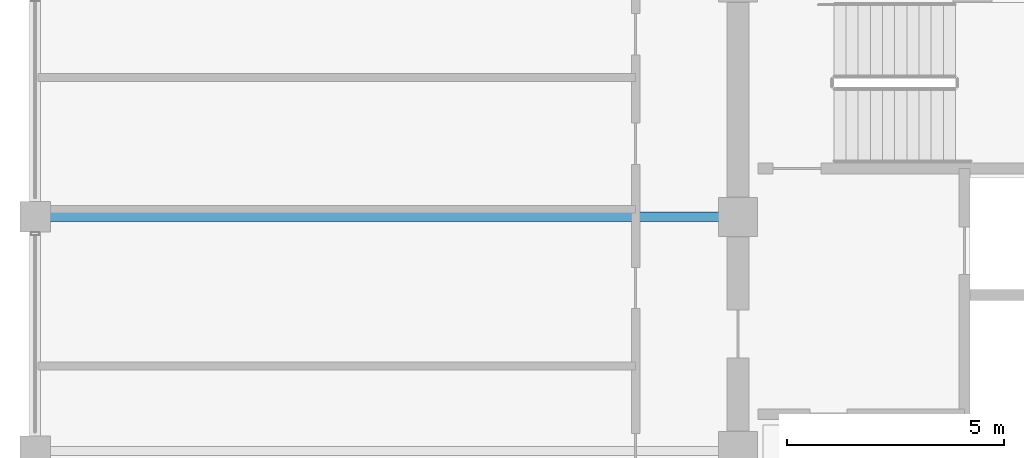
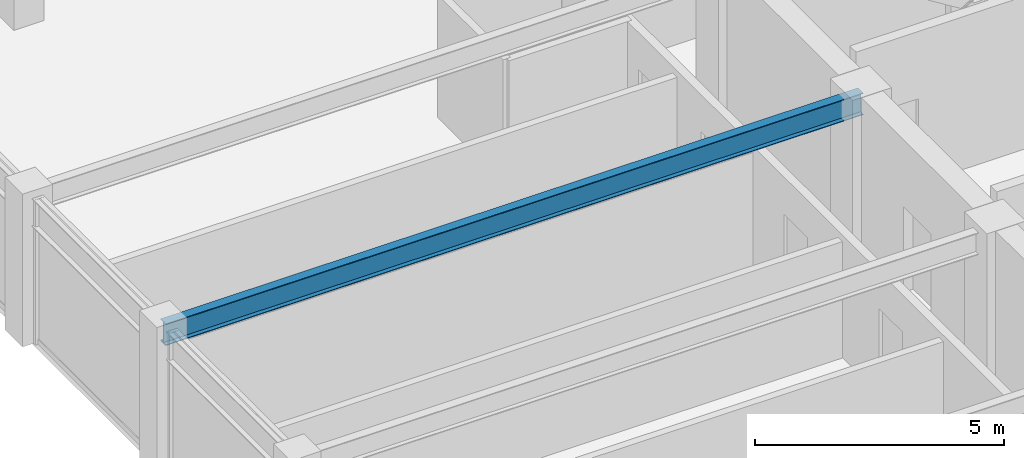
# One storey, part 11 of 30: 1 beam.
"""IFC4 building model written with IfcOpenShell, lengths in metres."""

from ifc_helpers import new_model, si_unit, direction, frame, origin, origin_2d, place, context, subcontext, project, spatial, i_section, extrude, material, material_profile, profile_set, type_object, element, save


model = new_model("IFC4")

# Units and contexts
model_context = context("Model", 3, precision=1e-05, world=origin(), true_north=direction((0.0, 1.0)))
body_context = subcontext(model_context, "Body", "Model", "MODEL_VIEW")
ifc_project = project(units=[si_unit("LENGTHUNIT", "METRE"), si_unit("AREAUNIT", "SQUARE_METRE"), si_unit("VOLUMEUNIT", "CUBIC_METRE"), si_unit("PLANEANGLEUNIT", "RADIAN"), si_unit("MASSUNIT", "GRAM", prefix="KILO")], contexts=[model_context])

# Site, building, storey
site_placement = place(None, origin())
site = spatial("IfcSite", under=ifc_project, at=site_placement, CompositionType="ELEMENT")
building_placement = place(site_placement, origin())
building = spatial("IfcBuilding", under=site, at=building_placement, Name="Surkhivell Harbour Commons", CompositionType="ELEMENT")
storey_placement = place(building_placement, frame((0.0, 0.0, 300.0)))
storey = spatial("IfcBuildingStorey", under=building, at=storey_placement, Name="L78", CompositionType="ELEMENT", Elevation=300.0)

# Beam
ifc_material = material(Name="Steel S355", Category="steel")
ifc_material_profile = material_profile(ifc_material, i_section(OverallWidth=0.2099609375, OverallDepth=0.537109375, WebThickness=0.0107421875, FlangeThickness=0.017333984375, at=origin_2d()), Name="UB533x210x101")
ifc_profile_set = profile_set([ifc_material_profile], Name="Steel S355")
beam_type = type_object("IfcBeamType", Name="BM-GRD-533B", PredefinedType="BEAM", material=ifc_profile_set)
beam_placement = place(storey_placement, frame((-27.0, 5.39990234375, 3.301513671875), z_axis=(1.0, 0.0, 0.0), x_axis=(0.0, 1.0, 0.0)))
element("IfcBeam", 1, at=beam_placement, inside=storey, type_object=beam_type, Name="L78 Floor Girder (-27.0,5.4)", PredefinedType="BEAM", context=body_context, shape_type="SweptSolid", body=[
    extrude(i_section(OverallWidth=0.2099609375, OverallDepth=0.537109375, WebThickness=0.0107421875, FlangeThickness=0.017333984375, at=origin_2d()), origin(), (0.0, 0.0, 1.0), 16.199951171875),
])

save(model, "model.ifc")
